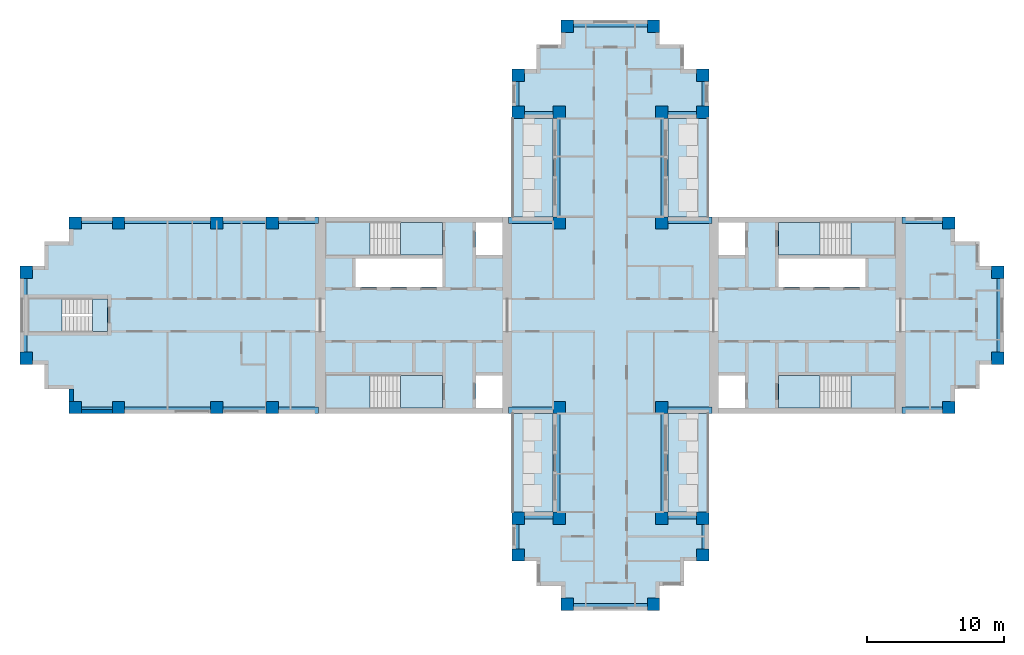
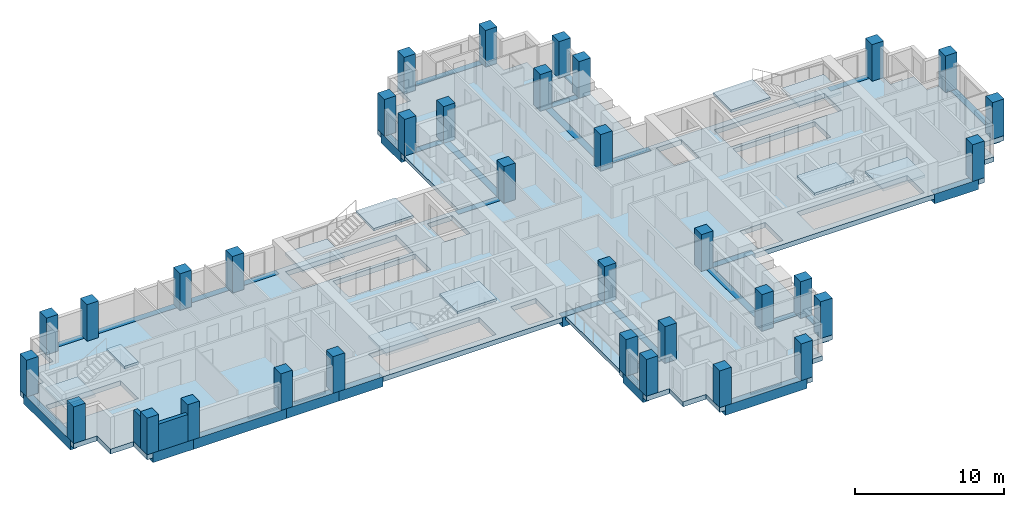
# One storey, part 1 of 10: 34 columns, 30 beams, 15 slabs, 2 walls, 5 elements without a shape of their own.
"""IFC4 building model written with IfcOpenShell, lengths in metres."""

from ifc_helpers import new_model, si_unit, direction, frame, frame_2d, origin, origin_2d, place, context, subcontext, project, spatial, polyline, rectangle, outline, extrude, material, layer, layer_set, material_profile, profile_set, type_object, element, aggregate, save


model = new_model("IFC4")

# Units and contexts
model_context = context("Model", 3, precision=1e-05, world=origin(), true_north=direction((0.0, 1.0)))
body_context = subcontext(model_context, "Body", "Model", "MODEL_VIEW")
ifc_project = project(units=[si_unit("LENGTHUNIT", "METRE"), si_unit("AREAUNIT", "SQUARE_METRE"), si_unit("VOLUMEUNIT", "CUBIC_METRE"), si_unit("PLANEANGLEUNIT", "RADIAN"), si_unit("MASSUNIT", "GRAM", prefix="KILO")], contexts=[model_context])

# Site, building, storey
site_placement = place(None, origin())
site = spatial("IfcSite", under=ifc_project, at=site_placement, CompositionType="ELEMENT")
building_placement = place(site_placement, origin())
building = spatial("IfcBuilding", under=site, at=building_placement, Name="Fustian Cross Tower", CompositionType="ELEMENT")
storey_placement = place(building_placement, frame((0.0, 0.0, 182.699951171875)))
storey = spatial("IfcBuildingStorey", under=building, at=storey_placement, Name="L57", CompositionType="ELEMENT", Elevation=182.699951171875)

# Columns
ifc_material_1 = material(Name="Concrete C40/50", Category="concrete")
ifc_material_profile_1 = material_profile(ifc_material_1, rectangle(XDim=0.89990234375, YDim=0.89990234375, at=origin_2d()), Name="RC 900x900")
ifc_profile_set_1 = profile_set([ifc_material_profile_1], Name="Concrete C40/50")
column_type = type_object("IfcColumnType", Name="COLUMN RC 900x900 C40/50", PredefinedType="COLUMN", material=ifc_profile_set_1)
for number, where, z_axis, x_axis, name in (
    (1, (-42.75, -3.14990234375, 0.0), (0.0, 0.0, 1.0), (1.0, 0.0, 0.0), "COLUMN 001"),
    (2, (-42.75, 3.14990234375, 0.0), (0.0, 0.0, 1.0), (1.0, 0.0, 0.0), "COLUMN 002"),
    (3, (-39.14990234375, -6.75, 0.0), (0.0, 0.0, 1.0), (1.0, 0.0, 0.0), "COLUMN 003"),
    (4, (-39.14990234375, 6.75, 0.0), (0.0, 0.0, 1.0), (1.0, 0.0, 0.0), "COLUMN 004"),
    (5, (-36.0, -6.75, 0.0), (0.0, 0.0, 1.0), (1.0, 0.0, 0.0), "COLUMN 005"),
    (6, (-36.0, 6.75, 0.0), (0.0, 0.0, 1.0), (1.0, 0.0, 0.0), "COLUMN 006"),
    (7, (-28.800048828125, -6.75, 0.0), (0.0, 0.0, 1.0), (1.0, 0.0, 0.0), "COLUMN 007"),
    (8, (-28.800048828125, 6.75, 0.0), (0.0, 0.0, 1.0), (1.0, 0.0, 0.0), "COLUMN 010"),
    (9, (-24.75, -6.75, 0.0), (0.0, 0.0, 1.0), (1.0, 0.0, 0.0), "COLUMN 011"),
    (10, (-24.75, 6.75, 0.0), (0.0, 0.0, 1.0), (1.0, 0.0, 0.0), "COLUMN 012"),
    (11, (-6.75, -17.550048828125, 0.0), (0.0, 0.0, 1.0), (1.0, 0.0, 0.0), "COLUMN 017"),
    (12, (-6.75, -14.85009765625, 0.0), (0.0, 0.0, 1.0), (1.0, 0.0, 0.0), "COLUMN 018"),
    (13, (-6.75, 14.85009765625, 0.0), (0.0, 0.0, 1.0), (1.0, 0.0, 0.0), "COLUMN 019"),
    (14, (-6.75, 17.550048828125, 0.0), (0.0, 0.0, 1.0), (1.0, 0.0, 0.0), "COLUMN 020"),
    (15, (-3.75, -14.85009765625, 0.0), (0.0, 0.0, 1.0), (1.0, 0.0, 0.0), "COLUMN 025"),
    (16, (-3.75, -6.75, 0.0), (0.0, 0.0, 1.0), (1.0, 0.0, 0.0), "COLUMN 026"),
    (17, (-3.75, 6.75, 0.0), (0.0, 0.0, 1.0), (1.0, 0.0, 0.0), "COLUMN 027"),
    (18, (-3.75, 14.85009765625, 0.0), (0.0, 0.0, 1.0), (1.0, 0.0, 0.0), "COLUMN 028"),
    (19, (-3.14990234375, -21.14990234375, 0.0), (0.0, 0.0, 1.0), (1.0, 0.0, 0.0), "COLUMN 030"),
    (20, (-3.14990234375, 21.14990234375, 0.0), (0.0, 0.0, 1.0), (1.0, 0.0, 0.0), "COLUMN 031"),
    (21, (3.14990234375, -21.14990234375, 0.0), (0.0, 0.0, 1.0), (1.0, 0.0, 0.0), "COLUMN 034"),
    (22, (3.14990234375, 21.14990234375, 0.0), (0.0, 0.0, 1.0), (1.0, 0.0, 0.0), "COLUMN 035"),
    (23, (3.75, -14.85009765625, 0.0), (0.0, 0.0, 1.0), (1.0, 0.0, 0.0), "COLUMN 037"),
    (24, (3.75, -6.75, 0.0), (0.0, 0.0, 1.0), (1.0, 0.0, 0.0), "COLUMN 038"),
    (25, (3.75, 6.75, 0.0), (0.0, 0.0, 1.0), (1.0, 0.0, 0.0), "COLUMN 039"),
    (26, (3.75, 14.85009765625, 0.0), (0.0, 0.0, 1.0), (1.0, 0.0, 0.0), "COLUMN 040"),
    (27, (6.75, -17.550048828125, 0.0), (0.0, 0.0, 1.0), (1.0, 0.0, 0.0), "COLUMN 045"),
    (28, (6.75, -14.85009765625, 0.0), (0.0, 0.0, 1.0), (1.0, 0.0, 0.0), "COLUMN 046"),
    (29, (6.75, 14.85009765625, 0.0), (0.0, 0.0, 1.0), (1.0, 0.0, 0.0), "COLUMN 047"),
    (30, (6.75, 17.550048828125, 0.0), (0.0, 0.0, 1.0), (1.0, 0.0, 0.0), "COLUMN 048"),
    (31, (24.75, -6.75, 0.0), (0.0, 0.0, 1.0), (1.0, 0.0, 0.0), "COLUMN 053"),
    (32, (24.75, 6.75, 0.0), (0.0, 0.0, 1.0), (1.0, 0.0, 0.0), "COLUMN 054"),
    (33, (28.35009765625, -3.14990234375, 0.0), (0.0, 0.0, 1.0), (1.0, 0.0, 0.0), "COLUMN 056"),
    (34, (28.35009765625, 3.14990234375, 0.0), (0.0, 0.0, 1.0), (1.0, 0.0, 0.0), "COLUMN 057"),
):
    element("IfcColumn", number, at=place(storey_placement, frame(where, z_axis=z_axis, x_axis=x_axis)), inside=storey, type_object=column_type, Name=name, PredefinedType="COLUMN", context=body_context, shape_type="SweptSolid", body=[
        extrude(rectangle(XDim=0.89990234375, YDim=0.89990234375, at=origin_2d()), origin(), (0.0, 0.0, 1.0), 3.0),
    ])

# Beams
ifc_material_2 = material(Name="Concrete C50/60", Category="concrete")
ifc_material_profile_2 = material_profile(ifc_material_2, rectangle(XDim=0.5, YDim=0.800048828125, at=origin_2d()), Name="RC 500x800")
ifc_profile_set_2 = profile_set([ifc_material_profile_2], Name="Concrete C50/60")
beam_type = type_object("IfcBeamType", Name="EDGE BEAM RC 500x800 C50/60", PredefinedType="SPANDREL", material=ifc_profile_set_2)
beam_1_placement = place(storey_placement, frame((21.35009765625, -6.949951171875, -0.39990234375), z_axis=(1.0, 0.0, 0.0), x_axis=(0.0, 1.0, 0.0)))
element("IfcBeam", 35, at=beam_1_placement, inside=storey, type_object=beam_type, Name="EDGE BEAM L57-01", PredefinedType="SPANDREL", context=body_context, shape_type="SweptSolid", body=[
    extrude(rectangle(XDim=0.5, YDim=0.800048828125, at=origin_2d()), origin(), (0.0, 0.0, 1.0), 3.39990234375),
])
beam_2_placement = place(storey_placement, frame((28.550048828125, -3.14990234375, -0.39990234375), z_axis=(0.0, 1.0, 0.0), x_axis=(-1.0, 0.0, 0.0)))
element("IfcBeam", 36, at=beam_2_placement, inside=storey, type_object=beam_type, Name="EDGE BEAM L57-02", PredefinedType="SPANDREL", context=body_context, shape_type="SweptSolid", body=[
    extrude(rectangle(XDim=0.5, YDim=0.800048828125, at=origin_2d()), origin(), (0.0, 0.0, 1.0), 6.2998046875),
])
beam_3_placement = place(storey_placement, frame((24.75, 6.949951171875, -0.39990234375), z_axis=(-1.0, 0.0, 0.0), x_axis=(0.0, -1.0, 0.0)))
element("IfcBeam", 37, at=beam_3_placement, inside=storey, type_object=beam_type, Name="EDGE BEAM L57-03", PredefinedType="SPANDREL", context=body_context, shape_type="SweptSolid", body=[
    extrude(rectangle(XDim=0.5, YDim=0.800048828125, at=origin_2d()), origin(), (0.0, 0.0, 1.0), 3.39990234375),
])
beam_4_placement = place(storey_placement, frame((7.449951171875, 6.949951171875, -0.39990234375), z_axis=(-1.0, 0.0, 0.0), x_axis=(0.0, -1.0, 0.0)))
element("IfcBeam", 38, at=beam_4_placement, inside=storey, type_object=beam_type, Name="EDGE BEAM L57-04", PredefinedType="SPANDREL", context=body_context, shape_type="SweptSolid", body=[
    extrude(rectangle(XDim=0.5, YDim=0.800048828125, at=origin_2d()), origin(), (0.0, 0.0, 1.0), 3.699951171875),
])
beam_5_placement = place(storey_placement, frame((3.949951171875, 6.75, -0.39990234375), z_axis=(0.0, 1.0, 0.0), x_axis=(-1.0, 0.0, 0.0)))
element("IfcBeam", 39, at=beam_5_placement, inside=storey, type_object=beam_type, Name="EDGE BEAM L57-05", PredefinedType="SPANDREL", context=body_context, shape_type="SweptSolid", body=[
    extrude(rectangle(XDim=0.5, YDim=0.800048828125, at=origin_2d()), origin(), (0.0, 0.0, 1.0), 8.10009765625),
])
beam_6_placement = place(storey_placement, frame((3.75, 14.64990234375, -0.39990234375), z_axis=(1.0, 0.0, 0.0), x_axis=(0.0, 1.0, 0.0)))
element("IfcBeam", 40, at=beam_6_placement, inside=storey, type_object=beam_type, Name="EDGE BEAM L57-06", PredefinedType="SPANDREL", context=body_context, shape_type="SweptSolid", body=[
    extrude(rectangle(XDim=0.5, YDim=0.800048828125, at=origin_2d()), origin(), (0.0, 0.0, 1.0), 3.0),
])
beam_7_placement = place(storey_placement, frame((6.949951171875, 14.85009765625, -0.39990234375), z_axis=(0.0, 1.0, 0.0), x_axis=(-1.0, 0.0, 0.0)))
element("IfcBeam", 41, at=beam_7_placement, inside=storey, type_object=beam_type, Name="EDGE BEAM L57-07", PredefinedType="SPANDREL", context=body_context, shape_type="SweptSolid", body=[
    extrude(rectangle(XDim=0.5, YDim=0.800048828125, at=origin_2d()), origin(), (0.0, 0.0, 1.0), 2.699951171875),
])
beam_8_placement = place(storey_placement, frame((3.14990234375, 21.35009765625, -0.39990234375), z_axis=(-1.0, 0.0, 0.0), x_axis=(0.0, -1.0, 0.0)))
element("IfcBeam", 42, at=beam_8_placement, inside=storey, type_object=beam_type, Name="EDGE BEAM L57-08", PredefinedType="SPANDREL", context=body_context, shape_type="SweptSolid", body=[
    extrude(rectangle(XDim=0.5, YDim=0.800048828125, at=origin_2d()), origin(), (0.0, 0.0, 1.0), 6.2998046875),
])
beam_9_placement = place(storey_placement, frame((-6.949951171875, 17.550048828125, -0.39990234375), z_axis=(0.0, -1.0, 0.0), x_axis=(1.0, 0.0, 0.0)))
element("IfcBeam", 43, at=beam_9_placement, inside=storey, type_object=beam_type, Name="EDGE BEAM L57-09", PredefinedType="SPANDREL", context=body_context, shape_type="SweptSolid", body=[
    extrude(rectangle(XDim=0.5, YDim=0.800048828125, at=origin_2d()), origin(), (0.0, 0.0, 1.0), 2.699951171875),
])
beam_10_placement = place(storey_placement, frame((-6.75, 14.64990234375, -0.39990234375), z_axis=(1.0, 0.0, 0.0), x_axis=(0.0, 1.0, 0.0)))
element("IfcBeam", 44, at=beam_10_placement, inside=storey, type_object=beam_type, Name="EDGE BEAM L57-10", PredefinedType="SPANDREL", context=body_context, shape_type="SweptSolid", body=[
    extrude(rectangle(XDim=0.5, YDim=0.800048828125, at=origin_2d()), origin(), (0.0, 0.0, 1.0), 3.0),
])
beam_11_placement = place(storey_placement, frame((-3.949951171875, 14.85009765625, -0.39990234375), z_axis=(0.0, -1.0, 0.0), x_axis=(1.0, 0.0, 0.0)))
element("IfcBeam", 45, at=beam_11_placement, inside=storey, type_object=beam_type, Name="EDGE BEAM L57-11", PredefinedType="SPANDREL", context=body_context, shape_type="SweptSolid", body=[
    extrude(rectangle(XDim=0.5, YDim=0.800048828125, at=origin_2d()), origin(), (0.0, 0.0, 1.0), 8.10009765625),
])
beam_12_placement = place(storey_placement, frame((-3.75, 6.949951171875, -0.39990234375), z_axis=(-1.0, 0.0, 0.0), x_axis=(0.0, -1.0, 0.0)))
element("IfcBeam", 46, at=beam_12_placement, inside=storey, type_object=beam_type, Name="EDGE BEAM L57-12", PredefinedType="SPANDREL", context=body_context, shape_type="SweptSolid", body=[
    extrude(rectangle(XDim=0.5, YDim=0.800048828125, at=origin_2d()), origin(), (0.0, 0.0, 1.0), 3.699951171875),
])
beam_13_placement = place(storey_placement, frame((-21.35009765625, 6.949951171875, -0.39990234375), z_axis=(-1.0, 0.0, 0.0), x_axis=(0.0, -1.0, 0.0)))
element("IfcBeam", 47, at=beam_13_placement, inside=storey, type_object=beam_type, Name="EDGE BEAM L57-13", PredefinedType="SPANDREL", context=body_context, shape_type="SweptSolid", body=[
    extrude(rectangle(XDim=0.5, YDim=0.800048828125, at=origin_2d()), origin(), (0.0, 0.0, 1.0), 3.39990234375),
])
beam_14_placement = place(storey_placement, frame((-24.75, 6.949951171875, -0.39990234375), z_axis=(-1.0, 0.0, 0.0), x_axis=(0.0, -1.0, 0.0)))
element("IfcBeam", 48, at=beam_14_placement, inside=storey, type_object=beam_type, Name="EDGE BEAM L57-14", PredefinedType="SPANDREL", context=body_context, shape_type="SweptSolid", body=[
    extrude(rectangle(XDim=0.5, YDim=0.800048828125, at=origin_2d()), origin(), (0.0, 0.0, 1.0), 4.050048828125),
])
beam_15_placement = place(storey_placement, frame((-28.800048828125, 6.949951171875, -0.39990234375), z_axis=(-1.0, 0.0, 0.0), x_axis=(0.0, -1.0, 0.0)))
element("IfcBeam", 49, at=beam_15_placement, inside=storey, type_object=beam_type, Name="EDGE BEAM L57-15", PredefinedType="SPANDREL", context=body_context, shape_type="SweptSolid", body=[
    extrude(rectangle(XDim=0.5, YDim=0.800048828125, at=origin_2d()), origin(), (0.0, 0.0, 1.0), 7.199951171875),
])
beam_16_placement = place(storey_placement, frame((-36.0, 6.949951171875, -0.39990234375), z_axis=(-1.0, 0.0, 0.0), x_axis=(0.0, -1.0, 0.0)))
element("IfcBeam", 50, at=beam_16_placement, inside=storey, type_object=beam_type, Name="EDGE BEAM L57-16", PredefinedType="SPANDREL", context=body_context, shape_type="SweptSolid", body=[
    extrude(rectangle(XDim=0.5, YDim=0.800048828125, at=origin_2d()), origin(), (0.0, 0.0, 1.0), 3.14990234375),
])
beam_17_placement = place(storey_placement, frame((-42.949951171875, 3.14990234375, -0.39990234375), z_axis=(0.0, -1.0, 0.0), x_axis=(1.0, 0.0, 0.0)))
element("IfcBeam", 51, at=beam_17_placement, inside=storey, type_object=beam_type, Name="EDGE BEAM L57-17", PredefinedType="SPANDREL", context=body_context, shape_type="SweptSolid", body=[
    extrude(rectangle(XDim=0.5, YDim=0.800048828125, at=origin_2d()), origin(), (0.0, 0.0, 1.0), 6.2998046875),
])
beam_18_placement = place(storey_placement, frame((-39.14990234375, -6.949951171875, -0.39990234375), z_axis=(1.0, 0.0, 0.0), x_axis=(0.0, 1.0, 0.0)))
element("IfcBeam", 52, at=beam_18_placement, inside=storey, type_object=beam_type, Name="EDGE BEAM L57-18", PredefinedType="SPANDREL", context=body_context, shape_type="SweptSolid", body=[
    extrude(rectangle(XDim=0.5, YDim=0.800048828125, at=origin_2d()), origin(), (0.0, 0.0, 1.0), 3.14990234375),
])
beam_19_placement = place(storey_placement, frame((-36.0, -6.949951171875, -0.39990234375), z_axis=(1.0, 0.0, 0.0), x_axis=(0.0, 1.0, 0.0)))
element("IfcBeam", 53, at=beam_19_placement, inside=storey, type_object=beam_type, Name="EDGE BEAM L57-19", PredefinedType="SPANDREL", context=body_context, shape_type="SweptSolid", body=[
    extrude(rectangle(XDim=0.5, YDim=0.800048828125, at=origin_2d()), origin(), (0.0, 0.0, 1.0), 7.199951171875),
])
beam_20_placement = place(storey_placement, frame((-28.800048828125, -6.949951171875, -0.39990234375), z_axis=(1.0, 0.0, 0.0), x_axis=(0.0, 1.0, 0.0)))
element("IfcBeam", 54, at=beam_20_placement, inside=storey, type_object=beam_type, Name="EDGE BEAM L57-20", PredefinedType="SPANDREL", context=body_context, shape_type="SweptSolid", body=[
    extrude(rectangle(XDim=0.5, YDim=0.800048828125, at=origin_2d()), origin(), (0.0, 0.0, 1.0), 4.050048828125),
])
beam_21_placement = place(storey_placement, frame((-24.75, -6.949951171875, -0.39990234375), z_axis=(1.0, 0.0, 0.0), x_axis=(0.0, 1.0, 0.0)))
element("IfcBeam", 55, at=beam_21_placement, inside=storey, type_object=beam_type, Name="EDGE BEAM L57-21", PredefinedType="SPANDREL", context=body_context, shape_type="SweptSolid", body=[
    extrude(rectangle(XDim=0.5, YDim=0.800048828125, at=origin_2d()), origin(), (0.0, 0.0, 1.0), 3.39990234375),
])
beam_22_placement = place(storey_placement, frame((-7.449951171875, -6.949951171875, -0.39990234375), z_axis=(1.0, 0.0, 0.0), x_axis=(0.0, 1.0, 0.0)))
element("IfcBeam", 56, at=beam_22_placement, inside=storey, type_object=beam_type, Name="EDGE BEAM L57-22", PredefinedType="SPANDREL", context=body_context, shape_type="SweptSolid", body=[
    extrude(rectangle(XDim=0.5, YDim=0.800048828125, at=origin_2d()), origin(), (0.0, 0.0, 1.0), 3.699951171875),
])
beam_23_placement = place(storey_placement, frame((-3.949951171875, -6.75, -0.39990234375), z_axis=(0.0, -1.0, 0.0), x_axis=(1.0, 0.0, 0.0)))
element("IfcBeam", 57, at=beam_23_placement, inside=storey, type_object=beam_type, Name="EDGE BEAM L57-23", PredefinedType="SPANDREL", context=body_context, shape_type="SweptSolid", body=[
    extrude(rectangle(XDim=0.5, YDim=0.800048828125, at=origin_2d()), origin(), (0.0, 0.0, 1.0), 8.10009765625),
])
beam_24_placement = place(storey_placement, frame((-3.75, -14.64990234375, -0.39990234375), z_axis=(-1.0, 0.0, 0.0), x_axis=(0.0, -1.0, 0.0)))
element("IfcBeam", 58, at=beam_24_placement, inside=storey, type_object=beam_type, Name="EDGE BEAM L57-24", PredefinedType="SPANDREL", context=body_context, shape_type="SweptSolid", body=[
    extrude(rectangle(XDim=0.5, YDim=0.800048828125, at=origin_2d()), origin(), (0.0, 0.0, 1.0), 3.0),
])
beam_25_placement = place(storey_placement, frame((-6.949951171875, -14.85009765625, -0.39990234375), z_axis=(0.0, -1.0, 0.0), x_axis=(1.0, 0.0, 0.0)))
element("IfcBeam", 59, at=beam_25_placement, inside=storey, type_object=beam_type, Name="EDGE BEAM L57-25", PredefinedType="SPANDREL", context=body_context, shape_type="SweptSolid", body=[
    extrude(rectangle(XDim=0.5, YDim=0.800048828125, at=origin_2d()), origin(), (0.0, 0.0, 1.0), 2.699951171875),
])
beam_26_placement = place(storey_placement, frame((-3.14990234375, -21.35009765625, -0.39990234375), z_axis=(1.0, 0.0, 0.0), x_axis=(0.0, 1.0, 0.0)))
element("IfcBeam", 60, at=beam_26_placement, inside=storey, type_object=beam_type, Name="EDGE BEAM L57-26", PredefinedType="SPANDREL", context=body_context, shape_type="SweptSolid", body=[
    extrude(rectangle(XDim=0.5, YDim=0.800048828125, at=origin_2d()), origin(), (0.0, 0.0, 1.0), 6.2998046875),
])
beam_27_placement = place(storey_placement, frame((6.949951171875, -17.550048828125, -0.39990234375), z_axis=(0.0, 1.0, 0.0), x_axis=(-1.0, 0.0, 0.0)))
element("IfcBeam", 61, at=beam_27_placement, inside=storey, type_object=beam_type, Name="EDGE BEAM L57-27", PredefinedType="SPANDREL", context=body_context, shape_type="SweptSolid", body=[
    extrude(rectangle(XDim=0.5, YDim=0.800048828125, at=origin_2d()), origin(), (0.0, 0.0, 1.0), 2.699951171875),
])
beam_28_placement = place(storey_placement, frame((6.75, -14.64990234375, -0.39990234375), z_axis=(-1.0, 0.0, 0.0), x_axis=(0.0, -1.0, 0.0)))
element("IfcBeam", 62, at=beam_28_placement, inside=storey, type_object=beam_type, Name="EDGE BEAM L57-28", PredefinedType="SPANDREL", context=body_context, shape_type="SweptSolid", body=[
    extrude(rectangle(XDim=0.5, YDim=0.800048828125, at=origin_2d()), origin(), (0.0, 0.0, 1.0), 3.0),
])
beam_29_placement = place(storey_placement, frame((3.949951171875, -14.85009765625, -0.39990234375), z_axis=(0.0, 1.0, 0.0), x_axis=(-1.0, 0.0, 0.0)))
element("IfcBeam", 63, at=beam_29_placement, inside=storey, type_object=beam_type, Name="EDGE BEAM L57-29", PredefinedType="SPANDREL", context=body_context, shape_type="SweptSolid", body=[
    extrude(rectangle(XDim=0.5, YDim=0.800048828125, at=origin_2d()), origin(), (0.0, 0.0, 1.0), 8.10009765625),
])
beam_30_placement = place(storey_placement, frame((3.75, -6.949951171875, -0.39990234375), z_axis=(1.0, 0.0, 0.0), x_axis=(0.0, 1.0, 0.0)))
element("IfcBeam", 64, at=beam_30_placement, inside=storey, type_object=beam_type, Name="EDGE BEAM L57-30", PredefinedType="SPANDREL", context=body_context, shape_type="SweptSolid", body=[
    extrude(rectangle(XDim=0.5, YDim=0.800048828125, at=origin_2d()), origin(), (0.0, 0.0, 1.0), 3.699951171875),
])

# Slabs
ifc_material_3 = material(Name="Concrete C40/50", Category="concrete")
ifc_layer_1 = layer(ifc_material_3, 0.300048828125)
ifc_layer_set_1 = layer_set([ifc_layer_1], Name="Concrete C40/50")
slab_type_1 = type_object("IfcSlabType", Name="BS1 BALCONY SLAB 300", PredefinedType="FLOOR", material=ifc_layer_set_1)
slab_1_placement = place(storey_placement, frame((0.0, 0.0, -0.300048828125)))
element("IfcSlab", 65, at=slab_1_placement, inside=storey, type_object=slab_type_1, Name="Balcony slab", PredefinedType="FLOOR", context=body_context, shape_type="SweptSolid", body=[
    extrude(outline(polyline([(4.199951171875, 7.199951171875), (7.199951171875, 7.199951171875), (7.199951171875, 14.39990234375), (4.199951171875, 14.39990234375), (4.199951171875, 7.199951171875)])), origin(), (0.0, 0.0, 1.0), 0.300048828125),
])
slab_2_placement = place(storey_placement, frame((0.0, 0.0, -0.300048828125)))
element("IfcSlab", 66, at=slab_2_placement, inside=storey, type_object=slab_type_1, Name="Balcony slab", PredefinedType="FLOOR", context=body_context, shape_type="SweptSolid", body=[
    extrude(outline(polyline([(-7.199951171875, 7.199951171875), (-4.199951171875, 7.199951171875), (-4.199951171875, 14.39990234375), (-7.199951171875, 14.39990234375), (-7.199951171875, 7.199951171875)])), origin(), (0.0, 0.0, 1.0), 0.300048828125),
])
slab_3_placement = place(storey_placement, frame((0.0, 0.0, -0.300048828125)))
element("IfcSlab", 67, at=slab_3_placement, inside=storey, type_object=slab_type_1, Name="Balcony slab", PredefinedType="FLOOR", context=body_context, shape_type="SweptSolid", body=[
    extrude(outline(polyline([(4.199951171875, -14.39990234375), (7.199951171875, -14.39990234375), (7.199951171875, -7.199951171875), (4.199951171875, -7.199951171875), (4.199951171875, -14.39990234375)])), origin(), (0.0, 0.0, 1.0), 0.300048828125),
])
slab_4_placement = place(storey_placement, frame((0.0, 0.0, -0.300048828125)))
element("IfcSlab", 68, at=slab_4_placement, inside=storey, type_object=slab_type_1, Name="Balcony slab", PredefinedType="FLOOR", context=body_context, shape_type="SweptSolid", body=[
    extrude(outline(polyline([(-7.199951171875, -14.39990234375), (-4.199951171875, -14.39990234375), (-4.199951171875, -7.199951171875), (-7.199951171875, -7.199951171875), (-7.199951171875, -14.39990234375)])), origin(), (0.0, 0.0, 1.0), 0.300048828125),
])
ifc_material_4 = material(Name="Concrete C40/50", Category="concrete")
ifc_layer_2 = layer(ifc_material_4, 0.39990234375)
ifc_layer_set_2 = layer_set([ifc_layer_2], Name="Concrete C40/50")
slab_type_2 = type_object("IfcSlabType", Name="FLAT SLAB 400", PredefinedType="FLOOR", material=ifc_layer_set_2)
slab_5_placement = place(storey_placement, frame((0.0, 0.0, -0.39990234375)))
element("IfcSlab", 69, at=slab_5_placement, inside=storey, type_object=slab_type_2, Name="FLOOR SLAB L57-1", PredefinedType="FLOOR", context=body_context, shape_type="SweptSolid", body=[
    extrude(outline(polyline([(-5.39990234375, -19.800048828125), (-5.39990234375, -18.0), (-7.199951171875, -18.0), (-7.199951171875, -14.39990234375), (-4.199951171875, -14.39990234375), (-4.199951171875, -7.199951171875), (-39.60009765625, -7.199951171875), (-39.60009765625, -5.39990234375), (-41.39990234375, -5.39990234375), (-41.39990234375, -3.60009765625), (-43.199951171875, -3.60009765625), (-43.199951171875, 3.60009765625), (-41.39990234375, 3.60009765625), (-41.39990234375, 5.39990234375), (-39.60009765625, 5.39990234375), (-39.60009765625, 7.199951171875), (-4.199951171875, 7.199951171875), (-4.199951171875, 14.39990234375), (-7.199951171875, 14.39990234375), (-7.199951171875, 18.0), (-5.39990234375, 18.0), (-5.39990234375, 19.800048828125), (-3.60009765625, 19.800048828125), (-3.60009765625, 21.60009765625), (3.60009765625, 21.60009765625), (3.60009765625, 19.800048828125), (5.39990234375, 19.800048828125), (5.39990234375, 18.0), (7.199951171875, 18.0), (7.199951171875, 14.39990234375), (4.199951171875, 14.39990234375), (4.199951171875, 7.199951171875), (25.199951171875, 7.199951171875), (25.199951171875, 5.39990234375), (27.0, 5.39990234375), (27.0, 3.60009765625), (28.800048828125, 3.60009765625), (28.800048828125, -3.60009765625), (27.0, -3.60009765625), (27.0, -5.39990234375), (25.199951171875, -5.39990234375), (25.199951171875, -7.199951171875), (4.199951171875, -7.199951171875), (4.199951171875, -14.39990234375), (7.199951171875, -14.39990234375), (7.199951171875, -18.0), (5.39990234375, -18.0), (5.39990234375, -19.800048828125), (3.60009765625, -19.800048828125), (3.60009765625, -21.60009765625), (-3.60009765625, -21.60009765625), (-3.60009765625, -19.800048828125), (-5.39990234375, -19.800048828125)]), holes=[polyline([(7.89990234375, 4.39990234375), (9.85009765625, 4.39990234375), (9.85009765625, 6.800048828125), (7.89990234375, 6.800048828125), (7.89990234375, 4.39990234375)]), polyline([(7.89990234375, -4.39990234375), (7.89990234375, -6.800048828125), (9.85009765625, -6.800048828125), (9.85009765625, -4.39990234375), (7.89990234375, -4.39990234375)]), polyline([(-7.89990234375, 6.800048828125), (-9.85009765625, 6.800048828125), (-9.85009765625, 4.39990234375), (-7.89990234375, 4.39990234375), (-7.89990234375, 6.800048828125)]), polyline([(-7.89990234375, -6.800048828125), (-7.89990234375, -4.39990234375), (-9.85009765625, -4.39990234375), (-9.85009765625, -6.800048828125), (-7.89990234375, -6.800048828125)]), polyline([(12.300048828125, 2.050048828125), (18.64990234375, 2.050048828125), (18.64990234375, 4.14990234375), (12.300048828125, 4.14990234375), (12.300048828125, 2.050048828125)]), polyline([(-18.64990234375, 4.14990234375), (-18.64990234375, 2.050048828125), (-12.300048828125, 2.050048828125), (-12.300048828125, 4.14990234375), (-18.64990234375, 4.14990234375)]), polyline([(20.85009765625, 6.699951171875), (12.300048828125, 6.699951171875), (12.300048828125, 4.39990234375), (20.85009765625, 4.39990234375), (20.85009765625, 6.699951171875)]), polyline([(20.85009765625, -6.699951171875), (20.85009765625, -4.39990234375), (12.300048828125, -4.39990234375), (12.300048828125, -6.699951171875), (20.85009765625, -6.699951171875)]), polyline([(-20.85009765625, 4.39990234375), (-12.300048828125, 4.39990234375), (-12.300048828125, 6.699951171875), (-20.85009765625, 6.699951171875), (-20.85009765625, 4.39990234375)]), polyline([(-20.85009765625, -4.39990234375), (-20.85009765625, -6.699951171875), (-12.300048828125, -6.699951171875), (-12.300048828125, -4.39990234375), (-20.85009765625, -4.39990234375)]), polyline([(-36.800048828125, 1.199951171875), (-42.60009765625, 1.199951171875), (-42.60009765625, -1.199951171875), (-36.800048828125, -1.199951171875), (-36.800048828125, 1.199951171875)])]), origin(), (0.0, 0.0, 1.0), 0.39990234375),
])

# Stair, slabs
ifc_material_5 = material(Name="Concrete C50/60", Category="concrete")
stair_type_1 = type_object("IfcStairType", Name="STAIR 1200 HALF TURN", PredefinedType="HALF_TURN_STAIR", material=ifc_material_5)
stair_1_placement = place(storey_placement, origin())
stair_1 = element("IfcStair", 70, at=stair_1_placement, inside=storey, type_object=stair_type_1, Name="Stair ST1", PredefinedType="HALF_TURN_STAIR")
ifc_material_6 = material(Name="Concrete C50/60", Category="concrete")
ifc_layer_3 = layer(ifc_material_6, 0.199951171875)
ifc_layer_set_3 = layer_set([ifc_layer_3], Name="Concrete C50/60")
slab_type_3 = type_object("IfcSlabType", Name="STAIR LANDING", PredefinedType="LANDING", material=ifc_layer_set_3)
slab_6_placement = place(storey_placement, frame((0.0, 0.0, 1.300048828125)))
slab_6 = element("IfcSlab", 71, at=slab_6_placement, type_object=slab_type_3, Name="ST1 landing 1", PredefinedType="LANDING", context=body_context, shape_type="SweptSolid", body=[
    extrude(outline(polyline([(17.590087890625, 4.39990234375), (20.85009765625, 4.39990234375), (20.85009765625, 6.800048828125), (17.590087890625, 6.800048828125), (17.590087890625, 4.39990234375)])), origin(), (0.0, 0.0, 1.0), 0.199951171875),
])
slab_7_placement = place(storey_placement, frame((0.0, 0.0, 2.800048828125)))
slab_7 = element("IfcSlab", 72, at=slab_7_placement, type_object=slab_type_3, Name="ST1 landing 2", PredefinedType="LANDING", context=body_context, shape_type="SweptSolid", body=[
    extrude(outline(polyline([(12.300048828125, 4.39990234375), (15.35009765625, 4.39990234375), (15.35009765625, 6.800048828125), (12.300048828125, 6.800048828125), (12.300048828125, 4.39990234375)])), origin(), (0.0, 0.0, 1.0), 0.199951171875),
])
aggregate(stair_1, [slab_6, slab_7])

stair_2_placement = place(storey_placement, origin())
stair_2 = element("IfcStair", 73, at=stair_2_placement, inside=storey, type_object=stair_type_1, Name="Stair ST2", PredefinedType="HALF_TURN_STAIR")
slab_8_placement = place(storey_placement, frame((0.0, 0.0, 1.300048828125)))
slab_8 = element("IfcSlab", 74, at=slab_8_placement, type_object=slab_type_3, Name="ST2 landing 1", PredefinedType="LANDING", context=body_context, shape_type="SweptSolid", body=[
    extrude(outline(polyline([(17.590087890625, -4.39990234375), (20.85009765625, -4.39990234375), (20.85009765625, -6.800048828125), (17.590087890625, -6.800048828125), (17.590087890625, -4.39990234375)])), origin(), (0.0, 0.0, 1.0), 0.199951171875),
])
slab_9_placement = place(storey_placement, frame((0.0, 0.0, 2.800048828125)))
slab_9 = element("IfcSlab", 75, at=slab_9_placement, type_object=slab_type_3, Name="ST2 landing 2", PredefinedType="LANDING", context=body_context, shape_type="SweptSolid", body=[
    extrude(outline(polyline([(12.300048828125, -4.39990234375), (15.35009765625, -4.39990234375), (15.35009765625, -6.800048828125), (12.300048828125, -6.800048828125), (12.300048828125, -4.39990234375)])), origin(), (0.0, 0.0, 1.0), 0.199951171875),
])
aggregate(stair_2, [slab_8, slab_9])

stair_3_placement = place(storey_placement, origin())
stair_3 = element("IfcStair", 76, at=stair_3_placement, inside=storey, type_object=stair_type_1, Name="Stair ST3", PredefinedType="HALF_TURN_STAIR")
slab_10_placement = place(storey_placement, frame((0.0, 0.0, 1.300048828125)))
slab_10 = element("IfcSlab", 77, at=slab_10_placement, type_object=slab_type_3, Name="ST3 landing 1", PredefinedType="LANDING", context=body_context, shape_type="SweptSolid", body=[
    extrude(outline(polyline([(-17.590087890625, 4.39990234375), (-20.85009765625, 4.39990234375), (-20.85009765625, 6.800048828125), (-17.590087890625, 6.800048828125), (-17.590087890625, 4.39990234375)])), origin(), (0.0, 0.0, 1.0), 0.199951171875),
])
slab_11_placement = place(storey_placement, frame((0.0, 0.0, 2.800048828125)))
slab_11 = element("IfcSlab", 78, at=slab_11_placement, type_object=slab_type_3, Name="ST3 landing 2", PredefinedType="LANDING", context=body_context, shape_type="SweptSolid", body=[
    extrude(outline(polyline([(-12.300048828125, 4.39990234375), (-15.35009765625, 4.39990234375), (-15.35009765625, 6.800048828125), (-12.300048828125, 6.800048828125), (-12.300048828125, 4.39990234375)])), origin(), (0.0, 0.0, 1.0), 0.199951171875),
])
aggregate(stair_3, [slab_10, slab_11])

stair_4_placement = place(storey_placement, origin())
stair_4 = element("IfcStair", 79, at=stair_4_placement, inside=storey, type_object=stair_type_1, Name="Stair ST4", PredefinedType="HALF_TURN_STAIR")
slab_12_placement = place(storey_placement, frame((0.0, 0.0, 1.300048828125)))
slab_12 = element("IfcSlab", 80, at=slab_12_placement, type_object=slab_type_3, Name="ST4 landing 1", PredefinedType="LANDING", context=body_context, shape_type="SweptSolid", body=[
    extrude(outline(polyline([(-17.590087890625, -4.39990234375), (-20.85009765625, -4.39990234375), (-20.85009765625, -6.800048828125), (-17.590087890625, -6.800048828125), (-17.590087890625, -4.39990234375)])), origin(), (0.0, 0.0, 1.0), 0.199951171875),
])
slab_13_placement = place(storey_placement, frame((0.0, 0.0, 2.800048828125)))
slab_13 = element("IfcSlab", 81, at=slab_13_placement, type_object=slab_type_3, Name="ST4 landing 2", PredefinedType="LANDING", context=body_context, shape_type="SweptSolid", body=[
    extrude(outline(polyline([(-12.300048828125, -4.39990234375), (-15.35009765625, -4.39990234375), (-15.35009765625, -6.800048828125), (-12.300048828125, -6.800048828125), (-12.300048828125, -4.39990234375)])), origin(), (0.0, 0.0, 1.0), 0.199951171875),
])
aggregate(stair_4, [slab_12, slab_13])

ifc_material_7 = material(Name="Concrete C50/60", Category="concrete")
stair_type_2 = type_object("IfcStairType", Name="STAIR 1100 HALF TURN", PredefinedType="HALF_TURN_STAIR", material=ifc_material_7)
stair_5_placement = place(storey_placement, origin())
stair_5 = element("IfcStair", 82, at=stair_5_placement, inside=storey, type_object=stair_type_2, Name="Stair ST9", PredefinedType="HALF_TURN_STAIR")
slab_14_placement = place(storey_placement, frame((0.0, 0.0, 1.300048828125)))
slab_14 = element("IfcSlab", 83, at=slab_14_placement, type_object=slab_type_3, Name="ST9 landing 1", PredefinedType="LANDING", context=body_context, shape_type="SweptSolid", body=[
    extrude(outline(polyline([(-40.139892578125, -1.199951171875), (-42.60009765625, -1.199951171875), (-42.60009765625, 1.199951171875), (-40.139892578125, 1.199951171875), (-40.139892578125, -1.199951171875)])), origin(), (0.0, 0.0, 1.0), 0.199951171875),
])
slab_15_placement = place(storey_placement, frame((0.0, 0.0, 2.800048828125)))
slab_15 = element("IfcSlab", 84, at=slab_15_placement, type_object=slab_type_3, Name="ST9 landing 2", PredefinedType="LANDING", context=body_context, shape_type="SweptSolid", body=[
    extrude(outline(polyline([(-36.800048828125, -1.199951171875), (-37.89990234375, -1.199951171875), (-37.89990234375, 1.199951171875), (-36.800048828125, 1.199951171875), (-36.800048828125, -1.199951171875)])), origin(), (0.0, 0.0, 1.0), 0.199951171875),
])
aggregate(stair_5, [slab_14, slab_15])

# Walls
ifc_material_8 = material(Name="Dark aluminium cladding on insulated backing wall", Category="aluminium")
ifc_layer_4 = layer(ifc_material_8, 0.300048828125)
ifc_layer_set_4 = layer_set([ifc_layer_4], Name="Dark aluminium cladding on insulated backing wall")
wall_type = type_object("IfcWallType", Name="XW1 EXTERNAL WALL 300", PredefinedType="SOLIDWALL", material=ifc_layer_set_4)
wall_1_placement = place(storey_placement, frame((-39.449951171875, -5.39990234375, 0.0), z_axis=(0.0, 0.0, 1.0), x_axis=(0.0, -1.0, 0.0)))
element("IfcWall", 85, at=wall_1_placement, inside=storey, type_object=wall_type, Name="External wall", PredefinedType="SOLIDWALL", context=body_context, shape_type="SweptSolid", body=[
    extrude(rectangle(XDim=0.900146484375, YDim=0.300048828125, at=frame_2d((0.4501953125, 0.0))), origin(), (0.0, 0.0, 1.0), 2.60009765625),
])
wall_2_placement = place(storey_placement, frame((-38.699951171875, -7.050048828125, 0.0), z_axis=(0.0, 0.0, 1.0), x_axis=(1.0, 0.0, 0.0)))
element("IfcWall", 86, at=wall_2_placement, inside=storey, type_object=wall_type, Name="External wall", PredefinedType="SOLIDWALL", context=body_context, shape_type="SweptSolid", body=[
    extrude(rectangle(XDim=2.25, YDim=0.300048828125, at=frame_2d((1.125, 0.0))), origin(), (0.0, 0.0, 1.0), 2.199951171875),
])

save(model, "model.ifc")
